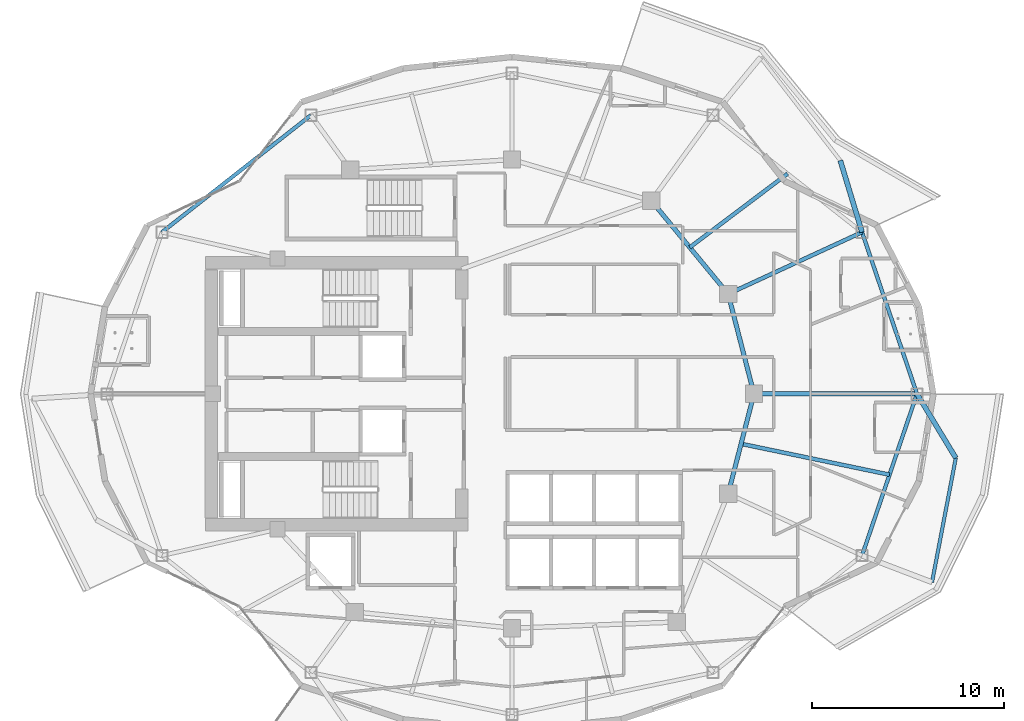
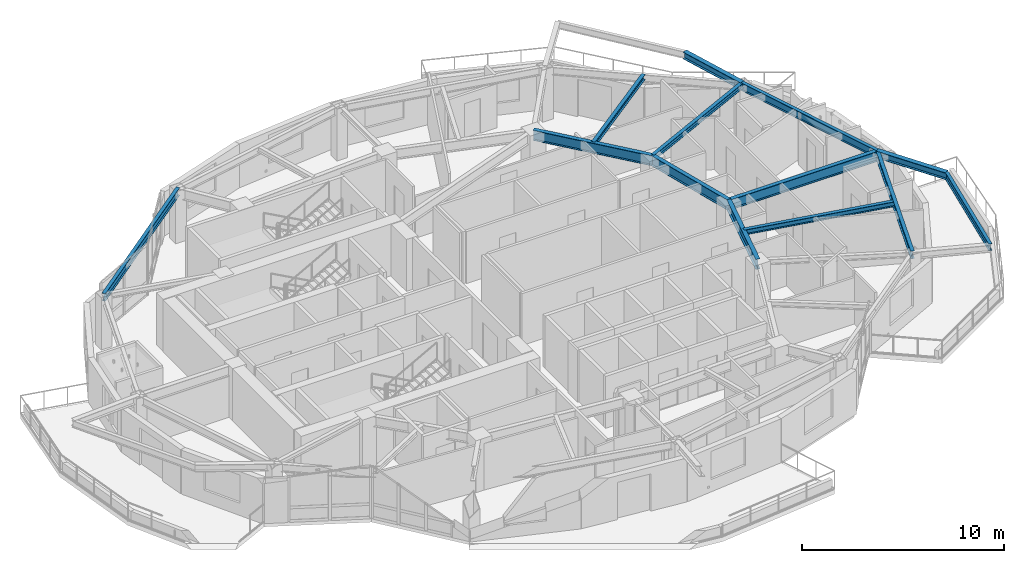
# One storey, part 5 of 19: 13 beams.
"""IFC4 building model written with IfcOpenShell, lengths in metres."""

from ifc_helpers import new_model, si_unit, direction, frame, origin, origin_2d, place, context, subcontext, project, spatial, i_section, extrude, material, material_profile, profile_set, type_object, element, save


model = new_model("IFC4")

# Units and contexts
model_context = context("Model", 3, precision=1e-05, world=origin(), true_north=direction((0.0, 1.0)))
body_context = subcontext(model_context, "Body", "Model", "MODEL_VIEW")
ifc_project = project(units=[si_unit("LENGTHUNIT", "METRE"), si_unit("AREAUNIT", "SQUARE_METRE"), si_unit("VOLUMEUNIT", "CUBIC_METRE"), si_unit("PLANEANGLEUNIT", "RADIAN"), si_unit("MASSUNIT", "GRAM", prefix="KILO")], contexts=[model_context])

# Site, building, storey
site_placement = place(None, origin())
site = spatial("IfcSite", under=ifc_project, at=site_placement, CompositionType="ELEMENT")
building_placement = place(site_placement, origin())
building = spatial("IfcBuilding", under=site, at=building_placement, Name="Kolvaren Gate Tower and Convention Centre", CompositionType="ELEMENT")
storey_placement = place(building_placement, frame((0.0, 0.0, 163.10009765625)))
storey = spatial("IfcBuildingStorey", under=building, at=storey_placement, Name="L42", CompositionType="ELEMENT", Elevation=163.10009765625)

# Beams
ifc_material = material(Name="Structural steel ASTM A992 Grade 345 MPa", Category="steel")
ifc_material_profile_1 = material_profile(ifc_material, i_section(OverallWidth=0.260009765625, OverallDepth=0.419921875, WebThickness=0.013427734375, FlangeThickness=0.0224609375, at=origin_2d()), Name="W410X132")
ifc_profile_set_1 = profile_set([ifc_material_profile_1], Name="Structural steel ASTM A992 Grade 345 MPa")
beam_type_1 = type_object("IfcBeamType", Name="STR-BM-W410X132", PredefinedType="BEAM", material=ifc_profile_set_1)
for number, where, z_axis, x_axis, name in (
    (1, (48.351806640625, 35.418701171875, 2.92041015625), (-0.290155075149, 0.956979640518, 0.0), (-0.956979640518, -0.290155075149, 0.0), "Tower L43 Planted Balcony Outrigger Cantilever BC-1A"),
    (2, (51.21240234375, 27.0, 2.92041015625), (0.51832946338, -0.855181014401, 0.0), (0.855181014401, 0.51832946338, 0.0), "Tower L43 Planted Balcony Outrigger Cantilever BC-4B"),
):
    element("IfcBeam", number, at=place(storey_placement, frame(where, z_axis=z_axis, x_axis=x_axis)), inside=storey, type_object=beam_type_1, Name=name, PredefinedType="BEAM", context=body_context, shape_type="SweptSolid", body=[
        extrude(i_section(OverallWidth=0.260009765625, OverallDepth=0.419921875, WebThickness=0.013427734375, FlangeThickness=0.0224609375, at=origin_2d()), origin(), (0.0, 0.0, 1.0), 3.89990234375),
    ])
ifc_material_profile_2 = material_profile(ifc_material, i_section(OverallWidth=0.22998046875, OverallDepth=0.616943359375, WebThickness=0.01318359375, FlangeThickness=0.022216796875, at=origin_2d()), Name="W610X140")
ifc_profile_set_2 = profile_set([ifc_material_profile_2], Name="Structural steel ASTM A992 Grade 345 MPa")
beam_type_2 = type_object("IfcBeamType", Name="STR-BM-W610X140", PredefinedType="BEAM", material=ifc_profile_set_2)
beam_1_placement = place(storey_placement, frame((42.72509765625, 27.0, 2.8212890625), z_axis=(-0.250091133936, -0.968222301296, 0.0), x_axis=(0.968222301296, -0.250091133936, 0.0)))
element("IfcBeam", 3, at=beam_1_placement, inside=storey, type_object=beam_type_2, Name="Tower L42 Primary Ring Girder G-01", PredefinedType="BEAM", context=body_context, shape_type="SweptSolid", body=[
    extrude(i_section(OverallWidth=0.22998046875, OverallDepth=0.616943359375, WebThickness=0.01318359375, FlangeThickness=0.022216796875, at=origin_2d()), origin(), (0.0, 0.0, 1.0), 5.3701171875),
])
beam_2_placement = place(storey_placement, frame((41.382080078125, 32.199462890625, 2.8212890625), z_axis=(-0.635884066011, 0.771784590798, 0.0), x_axis=(-0.771784590798, -0.635884066011, 0.0)))
element("IfcBeam", 4, at=beam_2_placement, inside=storey, type_object=beam_type_2, Name="Tower L42 Primary Ring Girder G-02", PredefinedType="BEAM", context=body_context, shape_type="SweptSolid", body=[
    extrude(i_section(OverallWidth=0.22998046875, OverallDepth=0.616943359375, WebThickness=0.01318359375, FlangeThickness=0.022216796875, at=origin_2d()), origin(), (0.0, 0.0, 1.0), 6.291259765625),
])
beam_3_placement = place(storey_placement, frame((42.72509765625, 27.0, 2.8212890625), z_axis=(-0.250091133936, 0.968222301296, 0.0), x_axis=(-0.968222301296, -0.250091133936, 0.0)))
element("IfcBeam", 5, at=beam_3_placement, inside=storey, type_object=beam_type_2, Name="Tower L42 Primary Ring Girder G-12", PredefinedType="BEAM", context=body_context, shape_type="SweptSolid", body=[
    extrude(i_section(OverallWidth=0.22998046875, OverallDepth=0.616943359375, WebThickness=0.01318359375, FlangeThickness=0.022216796875, at=origin_2d()), origin(), (0.0, 0.0, 1.0), 5.3701171875),
])
beam_4_placement = place(storey_placement, frame((42.72509765625, 27.0, 2.8212890625), z_axis=(1.0, 0.0, 0.0), x_axis=(0.0, 1.0, 0.0)))
element("IfcBeam", 6, at=beam_4_placement, inside=storey, type_object=beam_type_2, Name="Tower L42 Radial Floor Girder RB-01", PredefinedType="BEAM", context=body_context, shape_type="SweptSolid", body=[
    extrude(i_section(OverallWidth=0.22998046875, OverallDepth=0.616943359375, WebThickness=0.01318359375, FlangeThickness=0.022216796875, at=origin_2d()), origin(), (0.0, 0.0, 1.0), 8.4873046875),
])
ifc_material_profile_3 = material_profile(ifc_material, i_section(OverallWidth=0.205078125, OverallDepth=0.31005859375, WebThickness=0.009521484375, FlangeThickness=0.016357421875, at=origin_2d()), Name="W310X74")
ifc_profile_set_3 = profile_set([ifc_material_profile_3], Name="Structural steel ASTM A992 Grade 345 MPa")
beam_type_3 = type_object("IfcBeamType", Name="STR-JS-W310X74", PredefinedType="JOIST", material=ifc_profile_set_3)
beam_5_placement = place(storey_placement, frame((41.382080078125, 32.199462890625, 2.974853515625), z_axis=(0.907838349939, 0.419320319542, 0.0), x_axis=(-0.419320319542, 0.907838349939, 0.0)))
element("IfcBeam", 7, at=beam_5_placement, inside=storey, type_object=beam_type_3, Name="Tower L42 Radial Floor Girder RB-02", PredefinedType="JOIST", context=body_context, shape_type="SweptSolid", body=[
    extrude(i_section(OverallWidth=0.205078125, OverallDepth=0.31005859375, WebThickness=0.009521484375, FlangeThickness=0.016357421875, at=origin_2d()), origin(), (0.0, 0.0, 1.0), 7.67724609375),
])
beam_6_placement = place(storey_placement, frame((39.3818359375, 34.627197265625, 2.974853515625), z_axis=(0.798665513939, 0.601775204577, 0.0), x_axis=(-0.601775204577, 0.798665513939, 0.0)))
element("IfcBeam", 8, at=beam_6_placement, inside=storey, type_object=beam_type_3, Name="Tower L42 Secondary Composite Floor Joist J-02.1", PredefinedType="JOIST", context=body_context, shape_type="SweptSolid", body=[
    extrude(i_section(OverallWidth=0.205078125, OverallDepth=0.31005859375, WebThickness=0.009521484375, FlangeThickness=0.016357421875, at=origin_2d()), origin(), (0.0, 0.0, 1.0), 6.3759765625),
])
beam_7_placement = place(storey_placement, frame((42.0537109375, 24.400146484375, 2.974853515625), z_axis=(0.978997655145, -0.203871506641, 0.0), x_axis=(0.203871506641, 0.978997655145, 0.0)))
element("IfcBeam", 9, at=beam_7_placement, inside=storey, type_object=beam_type_3, Name="Tower L42 Secondary Composite Floor Joist J-12.1", PredefinedType="JOIST", context=body_context, shape_type="SweptSolid", body=[
    extrude(i_section(OverallWidth=0.205078125, OverallDepth=0.31005859375, WebThickness=0.009521484375, FlangeThickness=0.016357421875, at=origin_2d()), origin(), (0.0, 0.0, 1.0), 7.89404296875),
])
ifc_material_profile_4 = material_profile(ifc_material, i_section(OverallWidth=0.180908203125, OverallDepth=0.4169921875, WebThickness=0.010986328125, FlangeThickness=0.018310546875, at=origin_2d()), Name="W410X85")
ifc_profile_set_4 = profile_set([ifc_material_profile_4], Name="Structural steel ASTM A992 Grade 345 MPa")
beam_type_4 = type_object("IfcBeamType", Name="STR-SP-W410X85", PredefinedType="SPANDREL", material=ifc_profile_set_4)
beam_8_placement = place(storey_placement, frame((51.995849609375, 17.192138671875, 2.921875), z_axis=(0.187866209954, 0.982194627942, 0.0), x_axis=(-0.982194627942, 0.187866209954, 0.0)))
element("IfcBeam", 10, at=beam_8_placement, inside=storey, type_object=beam_type_4, Name="Tower L43 Planted Balcony Header Tie Beam BT-4", PredefinedType="SPANDREL", context=body_context, shape_type="SweptSolid", body=[
    extrude(i_section(OverallWidth=0.180908203125, OverallDepth=0.4169921875, WebThickness=0.010986328125, FlangeThickness=0.018310546875, at=origin_2d()), origin(), (0.0, 0.0, 1.0), 6.590087890625),
])
ifc_material_profile_5 = material_profile(ifc_material, i_section(OverallWidth=0.194091796875, OverallDepth=0.468994140625, WebThickness=0.0126953125, FlangeThickness=0.0205078125, at=origin_2d()), Name="W460X106")
ifc_profile_set_5 = profile_set([ifc_material_profile_5], Name="Structural steel ASTM A992 Grade 345 MPa")
beam_type_5 = type_object("IfcBeamType", Name="STR-SP-W460X106", PredefinedType="SPANDREL", material=ifc_profile_set_5)
beam_9_placement = place(storey_placement, frame((51.21240234375, 27.0, 2.8955078125), z_axis=(-0.321725023609, 0.946833147489, 0.0), x_axis=(-0.946833147489, -0.321725023609, 0.0)))
element("IfcBeam", 11, at=beam_9_placement, inside=storey, type_object=beam_type_5, Name="Tower L42 Perimeter Spandrel Beam SP-01", PredefinedType="SPANDREL", context=body_context, shape_type="SweptSolid", body=[
    extrude(i_section(OverallWidth=0.194091796875, OverallDepth=0.468994140625, WebThickness=0.0126953125, FlangeThickness=0.0205078125, at=origin_2d()), origin(), (0.0, 0.0, 1.0), 8.891357421875),
])
beam_10_placement = place(storey_placement, frame((19.65380859375, 41.509521484375, 2.8955078125), z_axis=(-0.786460066421, -0.617641128752, 0.0), x_axis=(0.617641128752, -0.786460066421, 0.0)))
element("IfcBeam", 12, at=beam_10_placement, inside=storey, type_object=beam_type_5, Name="Tower L42 Perimeter Spandrel Beam SP-05", PredefinedType="SPANDREL", context=body_context, shape_type="SweptSolid", body=[
    extrude(i_section(OverallWidth=0.194091796875, OverallDepth=0.468994140625, WebThickness=0.0126953125, FlangeThickness=0.0205078125, at=origin_2d()), origin(), (0.0, 0.0, 1.0), 9.861328125),
])
beam_11_placement = place(storey_placement, frame((48.351806640625, 18.581298828125, 2.8955078125), z_axis=(0.321725023609, 0.946833147489, 0.0), x_axis=(-0.946833147489, 0.321725023609, 0.0)))
element("IfcBeam", 13, at=beam_11_placement, inside=storey, type_object=beam_type_5, Name="Tower L42 Perimeter Spandrel Beam SP-12", PredefinedType="SPANDREL", context=body_context, shape_type="SweptSolid", body=[
    extrude(i_section(OverallWidth=0.194091796875, OverallDepth=0.468994140625, WebThickness=0.0126953125, FlangeThickness=0.0205078125, at=origin_2d()), origin(), (0.0, 0.0, 1.0), 8.891357421875),
])

save(model, "model.ifc")
